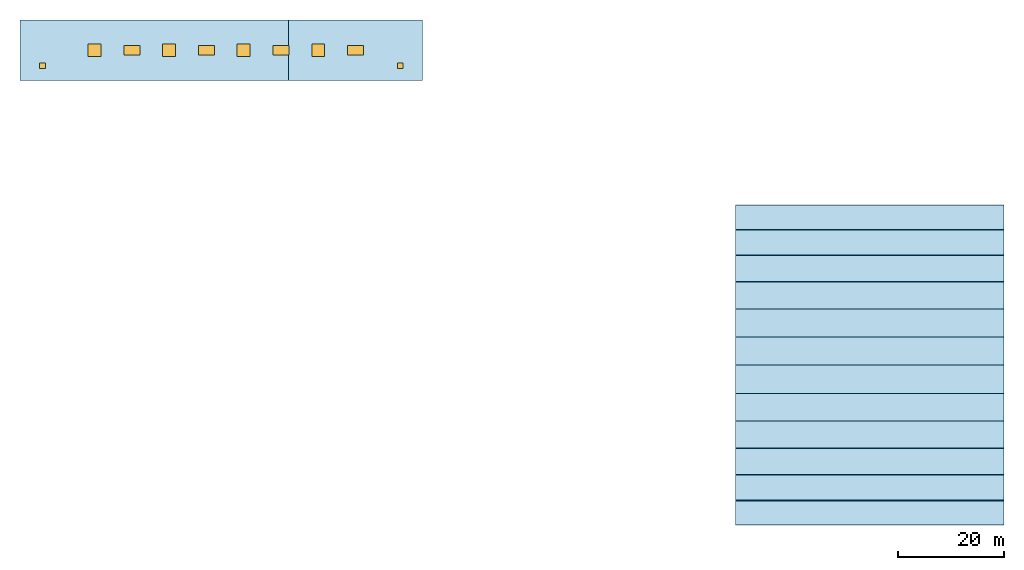
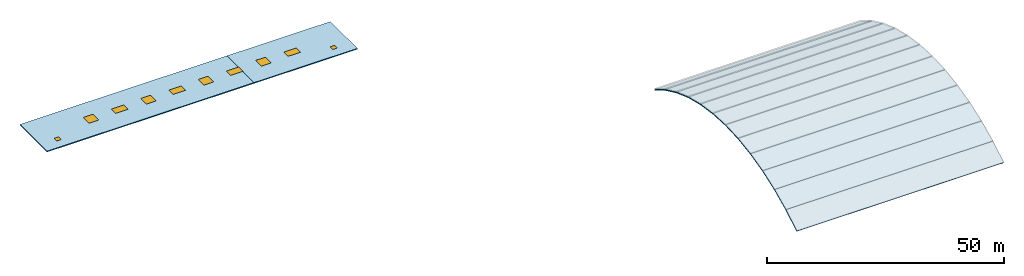
"""IFC4 building model written with IfcOpenShell, lengths in metres."""

from ifc_helpers import new_model, si_unit, direction, frame, origin, origin_2d, place, context, subcontext, project, spatial, polyline, rectangle, outline, extrude, material, layer, layer_set, type_object, element, fill, save


model = new_model("IFC4")

# Units and contexts
model_context = context("Model", 3, precision=1e-05, world=origin(), true_north=direction((0.0, 1.0)))
body_context = subcontext(model_context, "Body", "Model", "MODEL_VIEW")
ifc_project = project(units=[si_unit("LENGTHUNIT", "METRE"), si_unit("AREAUNIT", "SQUARE_METRE"), si_unit("VOLUMEUNIT", "CUBIC_METRE"), si_unit("PLANEANGLEUNIT", "RADIAN"), si_unit("MASSUNIT", "GRAM", prefix="KILO")], contexts=[model_context])

# Site, building, storey
site_placement = place(None, origin())
site = spatial("IfcSite", under=ifc_project, at=site_placement, CompositionType="ELEMENT")
building_placement = place(site_placement, origin())
building = spatial("IfcBuilding", under=site, at=building_placement, Name="Malvenik Polytechnic", CompositionType="ELEMENT")
storey_1_placement = place(building_placement, frame((0.0, 0.0, 30.300048828125)))
storey_1 = spatial("IfcBuildingStorey", under=building, at=storey_1_placement, Name="RF", CompositionType="ELEMENT", Elevation=30.300048828125)

# Slab, openings
ifc_material_1 = material(Name="Concrete C35/45", Category="concrete")
ifc_layer_1 = layer(ifc_material_1, 0.239990234375)
ifc_layer_set_1 = layer_set([ifc_layer_1], Name="Concrete C35/45")
slab_type = type_object("IfcSlabType", Name="STR-SLB-ROOF-240", PredefinedType="ROOF", material=ifc_layer_set_1)
slab_1_placement = place(storey_1_placement, frame((0.0, 0.0, -0.239990234375)))
slab_1 = element("IfcSlab", 1, at=slab_1_placement, inside=storey_1, type_object=slab_type, Name="Upper Stoa Roof Slab RF West", PredefinedType="ROOF", context=body_context, shape_type="SweptSolid", body=[
    extrude(outline(polyline([(0.0, 129.60009765625), (50.3798828125, 129.60009765625), (50.3798828125, 124.800048828125), (47.5, 124.800048828125), (47.5, 123.0), (50.3798828125, 123.0), (50.3798828125, 118.199951171875), (0.0, 118.199951171875), (0.0, 129.60009765625)]), holes=[polyline([(3.64990234375, 120.449951171875), (4.75, 120.449951171875), (4.75, 121.550048828125), (3.64990234375, 121.550048828125), (3.64990234375, 120.449951171875)]), polyline([(12.800048828125, 122.699951171875), (15.199951171875, 122.699951171875), (15.199951171875, 125.10009765625), (12.800048828125, 125.10009765625), (12.800048828125, 122.699951171875)]), polyline([(19.5, 124.800048828125), (19.5, 123.0), (22.5, 123.0), (22.5, 124.800048828125), (19.5, 124.800048828125)]), polyline([(26.800048828125, 125.10009765625), (26.800048828125, 122.699951171875), (29.199951171875, 122.699951171875), (29.199951171875, 125.10009765625), (26.800048828125, 125.10009765625)]), polyline([(33.5, 123.0), (36.5, 123.0), (36.5, 124.800048828125), (33.5, 124.800048828125), (33.5, 123.0)]), polyline([(40.800048828125, 122.699951171875), (43.199951171875, 122.699951171875), (43.199951171875, 125.10009765625), (40.800048828125, 125.10009765625), (40.800048828125, 122.699951171875)])]), origin(), (0.0, 0.0, 1.0), 0.239990234375),
])
opening_1_placement = place(slab_1_placement, frame((14.0, 123.89990234375, 0.0)))
opening_1 = element("IfcOpeningElement", 2, at=opening_1_placement, cuts=slab_1, Name="Opening SK-01", PredefinedType="OPENING", context=body_context, shape_type="SweptSolid", body=[
    extrude(rectangle(XDim=2.39990234375, YDim=2.39990234375, at=origin_2d()), frame((0.0, 0.0, -0.010009765625)), (0.0, 0.0, 1.0), 0.260009765625),
])
opening_2_placement = place(slab_1_placement, frame((21.0, 123.89990234375, 0.0)))
opening_2 = element("IfcOpeningElement", 3, at=opening_2_placement, cuts=slab_1, Name="Opening SK-02", PredefinedType="OPENING", context=body_context, shape_type="SweptSolid", body=[
    extrude(rectangle(XDim=3.0, YDim=1.800048828125, at=origin_2d()), frame((0.0, 0.0, -0.010009765625)), (0.0, 0.0, 1.0), 0.260009765625),
])
opening_3_placement = place(slab_1_placement, frame((28.0, 123.89990234375, 0.0)))
opening_3 = element("IfcOpeningElement", 4, at=opening_3_placement, cuts=slab_1, Name="Opening SK-01", PredefinedType="OPENING", context=body_context, shape_type="SweptSolid", body=[
    extrude(rectangle(XDim=2.39990234375, YDim=2.39990234375, at=origin_2d()), frame((0.0, 0.0, -0.010009765625)), (0.0, 0.0, 1.0), 0.260009765625),
])
opening_4_placement = place(slab_1_placement, frame((35.0, 123.89990234375, 0.0)))
opening_4 = element("IfcOpeningElement", 5, at=opening_4_placement, cuts=slab_1, Name="Opening SK-02", PredefinedType="OPENING", context=body_context, shape_type="SweptSolid", body=[
    extrude(rectangle(XDim=3.0, YDim=1.800048828125, at=origin_2d()), frame((0.0, 0.0, -0.010009765625)), (0.0, 0.0, 1.0), 0.260009765625),
])
opening_5_placement = place(slab_1_placement, frame((42.0, 123.89990234375, 0.0)))
opening_5 = element("IfcOpeningElement", 6, at=opening_5_placement, cuts=slab_1, Name="Opening SK-01", PredefinedType="OPENING", context=body_context, shape_type="SweptSolid", body=[
    extrude(rectangle(XDim=2.39990234375, YDim=2.39990234375, at=origin_2d()), frame((0.0, 0.0, -0.010009765625)), (0.0, 0.0, 1.0), 0.260009765625),
])
opening_6_placement = place(slab_1_placement, frame((49.0, 123.89990234375, 0.0)))
opening_6 = element("IfcOpeningElement", 7, at=opening_6_placement, cuts=slab_1, Name="Opening SK-02", PredefinedType="OPENING", context=body_context, shape_type="SweptSolid", body=[
    extrude(rectangle(XDim=3.0, YDim=1.800048828125, at=origin_2d()), frame((0.0, 0.0, -0.010009765625)), (0.0, 0.0, 1.0), 0.260009765625),
])
opening_7_placement = place(slab_1_placement, frame((4.199951171875, 121.0, 0.0)))
opening_7 = element("IfcOpeningElement", 8, at=opening_7_placement, cuts=slab_1, Name="Opening RH-01", PredefinedType="OPENING", context=body_context, shape_type="SweptSolid", body=[
    extrude(rectangle(XDim=1.10009765625, YDim=1.10009765625, at=origin_2d()), frame((0.0, 0.0, -0.010009765625)), (0.0, 0.0, 1.0), 0.260009765625),
])

# Storey
storey_2_placement = place(building_placement, frame((0.0, 0.0, 26.10009765625)))
storey_2 = spatial("IfcBuildingStorey", under=building, at=storey_2_placement, Name="L06", CompositionType="ELEMENT", Elevation=26.10009765625)

# Door
ifc_material_2 = material(Name="Insulated aluminium thermally broken roof access hatch", Category="aluminium")
door_type = type_object("IfcDoorType", Name="ARC-EDR-RH-01", OperationType="NOTDEFINED", PredefinedType="TRAPDOOR", material=ifc_material_2)
door_1_placement = place(opening_7_placement, frame((0.0, 0.0, 0.18994140625)))
door_1 = element("IfcDoor", 9, at=door_1_placement, inside=storey_2, type_object=door_type, Name="Roof Maintenance Access Hatch RH-01 #1", OperationType="SINGLE_SWING_LEFT", OverallHeight=1.10009765625, OverallWidth=1.10009765625, PredefinedType="TRAPDOOR", context=body_context, shape_type="SweptSolid", body=[
    extrude(rectangle(XDim=1.10009765625, YDim=1.10009765625, at=origin_2d()), origin(), (0.0, 0.0, 1.0), 0.050048828125),
])

fill(opening_7, door_1)

# Window
ifc_material_3 = material(Name="Thermally broken aluminium frame with low-E double glazing", Category="aluminium")
window_type_1 = type_object("IfcWindowType", Name="ARC-WIN-SK-01", PartitioningType="SINGLE_PANEL", PredefinedType="SKYLIGHT", material=ifc_material_3)
window_1_placement = place(opening_1_placement, frame((0.0, 0.0, 0.18994140625)))
window_1 = element("IfcWindow", 10, at=window_1_placement, inside=storey_1, type_object=window_type_1, Name="Reading Room Rooflight SK-01 #1", OverallHeight=2.39990234375, OverallWidth=2.39990234375, PartitioningType="SINGLE_PANEL", PredefinedType="SKYLIGHT", context=body_context, shape_type="SweptSolid", body=[
    extrude(rectangle(XDim=2.39990234375, YDim=2.39990234375, at=origin_2d()), origin(), (0.0, 0.0, 1.0), 0.050048828125),
])

fill(opening_1, window_1)

window_2_placement = place(opening_3_placement, frame((0.0, 0.0, 0.18994140625)))
window_2 = element("IfcWindow", 11, at=window_2_placement, inside=storey_1, type_object=window_type_1, Name="Reading Room Rooflight SK-01 #3", OverallHeight=2.39990234375, OverallWidth=2.39990234375, PartitioningType="SINGLE_PANEL", PredefinedType="SKYLIGHT", context=body_context, shape_type="SweptSolid", body=[
    extrude(rectangle(XDim=2.39990234375, YDim=2.39990234375, at=origin_2d()), origin(), (0.0, 0.0, 1.0), 0.050048828125),
])

fill(opening_3, window_2)

window_3_placement = place(opening_5_placement, frame((0.0, 0.0, 0.18994140625)))
window_3 = element("IfcWindow", 12, at=window_3_placement, inside=storey_1, type_object=window_type_1, Name="Reading Room Rooflight SK-01 #5", OverallHeight=2.39990234375, OverallWidth=2.39990234375, PartitioningType="SINGLE_PANEL", PredefinedType="SKYLIGHT", context=body_context, shape_type="SweptSolid", body=[
    extrude(rectangle(XDim=2.39990234375, YDim=2.39990234375, at=origin_2d()), origin(), (0.0, 0.0, 1.0), 0.050048828125),
])

fill(opening_5, window_3)

window_type_2 = type_object("IfcWindowType", Name="ARC-WIN-SK-02", PartitioningType="SINGLE_PANEL", PredefinedType="SKYLIGHT", material=ifc_material_3)
window_4_placement = place(opening_2_placement, frame((0.0, 0.0, 0.18994140625)))
window_4 = element("IfcWindow", 13, at=window_4_placement, inside=storey_1, type_object=window_type_2, Name="Reading Room Rooflight SK-02 #2", OverallHeight=1.800048828125, OverallWidth=3.0, PartitioningType="SINGLE_PANEL", PredefinedType="SKYLIGHT", context=body_context, shape_type="SweptSolid", body=[
    extrude(rectangle(XDim=3.0, YDim=1.800048828125, at=origin_2d()), origin(), (0.0, 0.0, 1.0), 0.050048828125),
])

fill(opening_2, window_4)

window_5_placement = place(opening_4_placement, frame((0.0, 0.0, 0.18994140625)))
window_5 = element("IfcWindow", 14, at=window_5_placement, inside=storey_1, type_object=window_type_2, Name="Reading Room Rooflight SK-02 #4", OverallHeight=1.800048828125, OverallWidth=3.0, PartitioningType="SINGLE_PANEL", PredefinedType="SKYLIGHT", context=body_context, shape_type="SweptSolid", body=[
    extrude(rectangle(XDim=3.0, YDim=1.800048828125, at=origin_2d()), origin(), (0.0, 0.0, 1.0), 0.050048828125),
])

fill(opening_4, window_5)

window_6_placement = place(opening_6_placement, frame((0.0, 0.0, 0.18994140625)))
window_6 = element("IfcWindow", 15, at=window_6_placement, inside=storey_1, type_object=window_type_2, Name="Reading Room Rooflight SK-02 #6", OverallHeight=1.800048828125, OverallWidth=3.0, PartitioningType="SINGLE_PANEL", PredefinedType="SKYLIGHT", context=body_context, shape_type="SweptSolid", body=[
    extrude(rectangle(XDim=3.0, YDim=1.800048828125, at=origin_2d()), origin(), (0.0, 0.0, 1.0), 0.050048828125),
])

fill(opening_6, window_6)

# Slab, openings, door, windows
slab_2_placement = place(storey_1_placement, frame((0.0, 0.0, -0.239990234375)))
slab_2 = element("IfcSlab", 16, at=slab_2_placement, inside=storey_1, type_object=slab_type, Name="Upper Stoa Roof Slab RF East #1", PredefinedType="ROOF", context=body_context, shape_type="SweptSolid", body=[
    extrude(outline(polyline([(75.60009765625, 129.60009765625), (75.60009765625, 118.199951171875), (50.419921875, 118.199951171875), (50.419921875, 123.0), (50.5, 123.0), (50.5, 124.800048828125), (50.419921875, 124.800048828125), (50.419921875, 129.60009765625), (75.60009765625, 129.60009765625)]), holes=[polyline([(70.85009765625, 120.449951171875), (71.949951171875, 120.449951171875), (71.949951171875, 121.550048828125), (70.85009765625, 121.550048828125), (70.85009765625, 120.449951171875)]), polyline([(54.800048828125, 125.10009765625), (54.800048828125, 122.699951171875), (57.199951171875, 122.699951171875), (57.199951171875, 125.10009765625), (54.800048828125, 125.10009765625)]), polyline([(61.5, 124.800048828125), (61.5, 123.0), (64.5, 123.0), (64.5, 124.800048828125), (61.5, 124.800048828125)])]), origin(), (0.0, 0.0, 1.0), 0.239990234375),
])
opening_8_placement = place(slab_2_placement, frame((56.0, 123.89990234375, 0.0)))
opening_8 = element("IfcOpeningElement", 17, at=opening_8_placement, cuts=slab_2, Name="Opening SK-01", PredefinedType="OPENING", context=body_context, shape_type="SweptSolid", body=[
    extrude(rectangle(XDim=2.39990234375, YDim=2.39990234375, at=origin_2d()), frame((0.0, 0.0, -0.010009765625)), (0.0, 0.0, 1.0), 0.260009765625),
])
opening_9_placement = place(slab_2_placement, frame((63.0, 123.89990234375, 0.0)))
opening_9 = element("IfcOpeningElement", 18, at=opening_9_placement, cuts=slab_2, Name="Opening SK-02", PredefinedType="OPENING", context=body_context, shape_type="SweptSolid", body=[
    extrude(rectangle(XDim=3.0, YDim=1.800048828125, at=origin_2d()), frame((0.0, 0.0, -0.010009765625)), (0.0, 0.0, 1.0), 0.260009765625),
])
opening_10_placement = place(slab_2_placement, frame((71.39990234375, 121.0, 0.0)))
opening_10 = element("IfcOpeningElement", 19, at=opening_10_placement, cuts=slab_2, Name="Opening RH-01", PredefinedType="OPENING", context=body_context, shape_type="SweptSolid", body=[
    extrude(rectangle(XDim=1.10009765625, YDim=1.10009765625, at=origin_2d()), frame((0.0, 0.0, -0.010009765625)), (0.0, 0.0, 1.0), 0.260009765625),
])
door_2_placement = place(opening_10_placement, frame((0.0, 0.0, 0.18994140625)))
door_2 = element("IfcDoor", 20, at=door_2_placement, inside=storey_2, type_object=door_type, Name="Roof Maintenance Access Hatch RH-01 #2", OperationType="SINGLE_SWING_LEFT", OverallHeight=1.10009765625, OverallWidth=1.10009765625, PredefinedType="TRAPDOOR", context=body_context, shape_type="SweptSolid", body=[
    extrude(rectangle(XDim=1.10009765625, YDim=1.10009765625, at=origin_2d()), origin(), (0.0, 0.0, 1.0), 0.050048828125),
])
fill(opening_10, door_2)
window_7_placement = place(opening_8_placement, frame((0.0, 0.0, 0.18994140625)))
window_7 = element("IfcWindow", 21, at=window_7_placement, inside=storey_1, type_object=window_type_1, Name="Reading Room Rooflight SK-01 #7", OverallHeight=2.39990234375, OverallWidth=2.39990234375, PartitioningType="SINGLE_PANEL", PredefinedType="SKYLIGHT", context=body_context, shape_type="SweptSolid", body=[
    extrude(rectangle(XDim=2.39990234375, YDim=2.39990234375, at=origin_2d()), origin(), (0.0, 0.0, 1.0), 0.050048828125),
])
fill(opening_8, window_7)
window_8_placement = place(opening_9_placement, frame((0.0, 0.0, 0.18994140625)))
window_8 = element("IfcWindow", 22, at=window_8_placement, inside=storey_1, type_object=window_type_2, Name="Reading Room Rooflight SK-02 #8", OverallHeight=1.800048828125, OverallWidth=3.0, PartitioningType="SINGLE_PANEL", PredefinedType="SKYLIGHT", context=body_context, shape_type="SweptSolid", body=[
    extrude(rectangle(XDim=3.0, YDim=1.800048828125, at=origin_2d()), origin(), (0.0, 0.0, 1.0), 0.050048828125),
])
fill(opening_9, window_8)

# Roofs
ifc_material_4 = material(Name="Standing-seam zinc acoustic insulated roof deck", Category="metal")
ifc_layer_2 = layer(ifc_material_4, 0.219970703125)
ifc_layer_set_2 = layer_set([ifc_layer_2], Name="Standing-seam zinc acoustic insulated roof deck")
roof_type = type_object("IfcRoofType", Name="ARC-RF-BARREL", PredefinedType="BARREL_ROOF", material=ifc_layer_set_2)
roof_1_placement = place(storey_1_placement, frame((134.39990234375, 34.748291015625, -17.018310546875), z_axis=(0.0, -0.512471190048, 0.858704419094), x_axis=(1.0, 0.0, 0.0)))
element("IfcRoof", 23, at=roof_1_placement, inside=storey_1, type_object=roof_type, Name="Workshop Barrel Vault Roof Strip 1", PredefinedType="BARREL_ROOF", context=body_context, shape_type="SweptSolid", body=[
    extrude(outline(polyline([(0.0, 0.0), (50.400146484375, 0.0), (50.400146484375, 5.306129074291382), (0.0, 5.306129074291382), (0.0, 0.0)])), origin(), (0.0, 0.0, -1.0), 0.219970703125),
])
roof_2_placement = place(storey_1_placement, frame((134.39990234375, 39.3046875, -14.299072265625), z_axis=(0.0, -0.426147099582, 0.904653883824), x_axis=(1.0, 0.0, 0.0)))
element("IfcRoof", 24, at=roof_2_placement, inside=storey_1, type_object=roof_type, Name="Workshop Barrel Vault Roof Strip 2", PredefinedType="BARREL_ROOF", context=body_context, shape_type="SweptSolid", body=[
    extrude(outline(polyline([(0.0, 0.0), (50.400146484375, 0.0), (50.400146484375, 5.30622048341699), (0.0, 5.30622048341699), (0.0, 0.0)])), origin(), (0.0, 0.0, -1.0), 0.219970703125),
])
roof_3_placement = place(storey_1_placement, frame((134.39990234375, 44.10498046875, -12.037841796875), z_axis=(0.0, -0.335747547759, 0.941952007362), x_axis=(1.0, 0.0, 0.0)))
element("IfcRoof", 25, at=roof_3_placement, inside=storey_1, type_object=roof_type, Name="Workshop Barrel Vault Roof Strip 3", PredefinedType="BARREL_ROOF", context=body_context, shape_type="SweptSolid", body=[
    extrude(outline(polyline([(0.0, 0.0), (50.400146484375, 0.0), (50.400146484375, 5.306052575858863), (0.0, 5.306052575858863), (0.0, 0.0)])), origin(), (0.0, 0.0, -1.0), 0.219970703125),
])
roof_4_placement = place(storey_1_placement, frame((134.39990234375, 49.10302734375, -10.25634765625), z_axis=(0.0, -0.24215669117, 0.970237154989), x_axis=(1.0, 0.0, 0.0)))
element("IfcRoof", 26, at=roof_4_placement, inside=storey_1, type_object=roof_type, Name="Workshop Barrel Vault Roof Strip 4", PredefinedType="BARREL_ROOF", context=body_context, shape_type="SweptSolid", body=[
    extrude(outline(polyline([(0.0, 0.0), (50.400146484375, 0.0), (50.400146484375, 5.306118543184967), (0.0, 5.306118543184967), (0.0, 0.0)])), origin(), (0.0, 0.0, -1.0), 0.219970703125),
])
roof_5_placement = place(storey_1_placement, frame((134.39990234375, 54.251220703125, -8.971435546875), z_axis=(0.0, -0.146225150927, 0.989251335726), x_axis=(1.0, 0.0, 0.0)))
element("IfcRoof", 27, at=roof_5_placement, inside=storey_1, type_object=roof_type, Name="Workshop Barrel Vault Roof Strip 5", PredefinedType="BARREL_ROOF", context=body_context, shape_type="SweptSolid", body=[
    extrude(outline(polyline([(0.0, 0.0), (50.400146484375, 0.0), (50.400146484375, 5.306056456973296), (0.0, 5.306056456973296), (0.0, 0.0)])), origin(), (0.0, 0.0, -1.0), 0.219970703125),
])
for number, where, z_axis, x_axis, name in (
    (28, (134.39990234375, 59.500244140625, -8.195556640625), (0.0, -0.048863617032, 0.998805460002), (1.0, 0.0, 0.0), "Workshop Barrel Vault Roof Strip 6"),
    (29, (134.39990234375, 64.800048828125, -7.936279296875), (0.0, 0.048863617032, 0.998805460002), (1.0, 0.0, 0.0), "Workshop Barrel Vault Roof Strip 7"),
):
    element("IfcRoof", number, at=place(storey_1_placement, frame(where, z_axis=z_axis, x_axis=x_axis)), inside=storey_1, type_object=roof_type, Name=name, PredefinedType="BARREL_ROOF", context=body_context, shape_type="SweptSolid", body=[
        extrude(outline(polyline([(0.0, 0.0), (50.400146484375, 0.0), (50.400146484375, 5.30614308765124), (0.0, 5.30614308765124), (0.0, 0.0)])), origin(), (0.0, 0.0, -1.0), 0.219970703125),
    ])
roof_6_placement = place(storey_1_placement, frame((134.39990234375, 70.099853515625, -8.195556640625), z_axis=(0.0, 0.146225150927, 0.989251335726), x_axis=(1.0, 0.0, 0.0)))
element("IfcRoof", 30, at=roof_6_placement, inside=storey_1, type_object=roof_type, Name="Workshop Barrel Vault Roof Strip 8", PredefinedType="BARREL_ROOF", context=body_context, shape_type="SweptSolid", body=[
    extrude(outline(polyline([(0.0, 0.0), (50.400146484375, 0.0), (50.400146484375, 5.306056456973296), (0.0, 5.306056456973296), (0.0, 0.0)])), origin(), (0.0, 0.0, -1.0), 0.219970703125),
])
roof_7_placement = place(storey_1_placement, frame((134.39990234375, 75.348876953125, -8.971435546875), z_axis=(0.0, 0.24215669117, 0.970237154989), x_axis=(1.0, 0.0, 0.0)))
element("IfcRoof", 31, at=roof_7_placement, inside=storey_1, type_object=roof_type, Name="Workshop Barrel Vault Roof Strip 9", PredefinedType="BARREL_ROOF", context=body_context, shape_type="SweptSolid", body=[
    extrude(outline(polyline([(0.0, 0.0), (50.400146484375, 0.0), (50.400146484375, 5.306118543184967), (0.0, 5.306118543184967), (0.0, 0.0)])), origin(), (0.0, 0.0, -1.0), 0.219970703125),
])
roof_8_placement = place(storey_1_placement, frame((134.39990234375, 80.4970703125, -10.25634765625), z_axis=(0.0, 0.335747547759, 0.941952007362), x_axis=(1.0, 0.0, 0.0)))
element("IfcRoof", 32, at=roof_8_placement, inside=storey_1, type_object=roof_type, Name="Workshop Barrel Vault Roof Strip 10", PredefinedType="BARREL_ROOF", context=body_context, shape_type="SweptSolid", body=[
    extrude(outline(polyline([(0.0, 0.0), (50.400146484375, 0.0), (50.400146484375, 5.306052575858863), (0.0, 5.306052575858863), (0.0, 0.0)])), origin(), (0.0, 0.0, -1.0), 0.219970703125),
])
roof_9_placement = place(storey_1_placement, frame((134.39990234375, 85.4951171875, -12.037841796875), z_axis=(0.0, 0.426147099582, 0.904653883824), x_axis=(1.0, 0.0, 0.0)))
element("IfcRoof", 33, at=roof_9_placement, inside=storey_1, type_object=roof_type, Name="Workshop Barrel Vault Roof Strip 11", PredefinedType="BARREL_ROOF", context=body_context, shape_type="SweptSolid", body=[
    extrude(outline(polyline([(0.0, 0.0), (50.400146484375, 0.0), (50.400146484375, 5.30622048341699), (0.0, 5.30622048341699), (0.0, 0.0)])), origin(), (0.0, 0.0, -1.0), 0.219970703125),
])
roof_10_placement = place(storey_1_placement, frame((134.39990234375, 90.29541015625, -14.299072265625), z_axis=(0.0, 0.512471190048, 0.858704419094), x_axis=(1.0, 0.0, 0.0)))
element("IfcRoof", 34, at=roof_10_placement, inside=storey_1, type_object=roof_type, Name="Workshop Barrel Vault Roof Strip 12", PredefinedType="BARREL_ROOF", context=body_context, shape_type="SweptSolid", body=[
    extrude(outline(polyline([(0.0, 0.0), (50.400146484375, 0.0), (50.400146484375, 5.306129074291382), (0.0, 5.306129074291382), (0.0, 0.0)])), origin(), (0.0, 0.0, -1.0), 0.219970703125),
])

save(model, "model.ifc")
